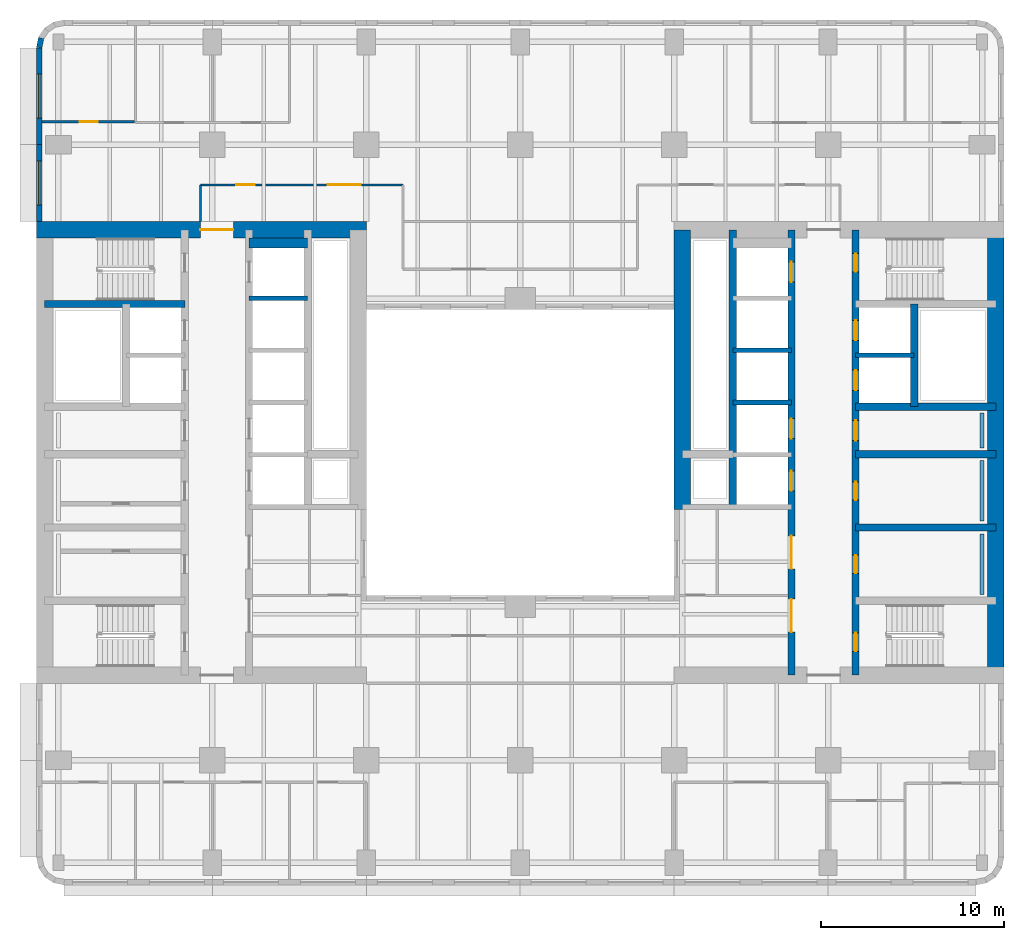
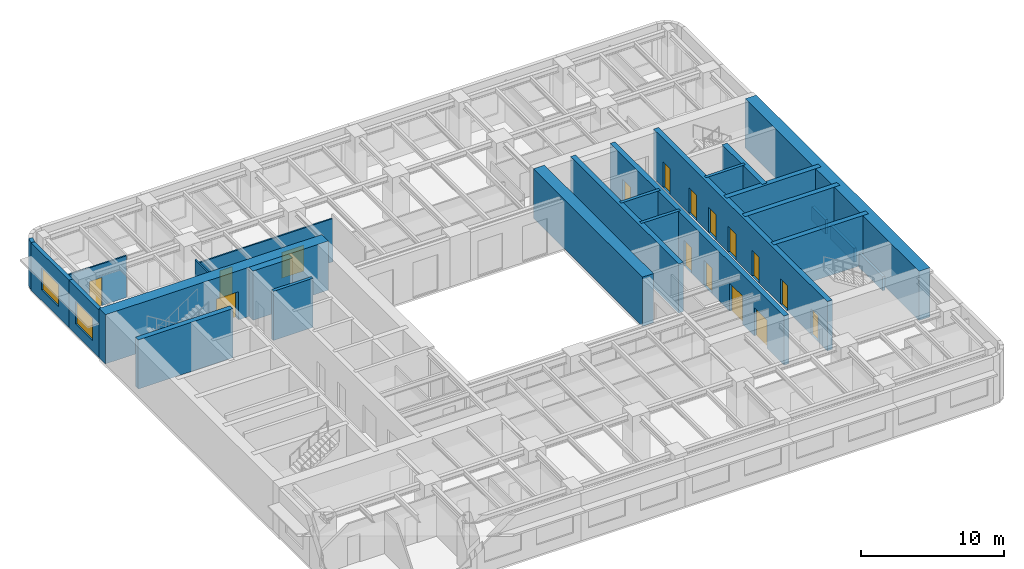
# One storey, part 6 of 11: 25 walls, 16 doors, 2 windows, 18 openings.
"""IFC4 building model written with IfcOpenShell, lengths in metres."""

from ifc_helpers import new_model, si_unit, direction, frame, frame_2d, origin, place, context, subcontext, project, spatial, rectangle, extrude, material, layer, layer_set, type_object, element, fill, save


model = new_model("IFC4")

# Units and contexts
model_context = context("Model", 3, precision=1e-05, world=origin(), true_north=direction((0.0, 1.0)))
body_context = subcontext(model_context, "Body", "Model", "MODEL_VIEW")
ifc_project = project(units=[si_unit("LENGTHUNIT", "METRE"), si_unit("AREAUNIT", "SQUARE_METRE"), si_unit("VOLUMEUNIT", "CUBIC_METRE"), si_unit("PLANEANGLEUNIT", "RADIAN"), si_unit("MASSUNIT", "GRAM", prefix="KILO")], contexts=[model_context])

# Site, building, storey
site_placement = place(None, origin())
site = spatial("IfcSite", under=ifc_project, at=site_placement, CompositionType="ELEMENT")
building_placement = place(site_placement, origin())
building = spatial("IfcBuilding", under=site, at=building_placement, Name="Claustro Exchange Tower", CompositionType="ELEMENT")
storey_placement = place(building_placement, frame((0.0, 0.0, 105.0)))
storey = spatial("IfcBuildingStorey", under=building, at=storey_placement, Name="L23", CompositionType="ELEMENT", Elevation=105.0)

# Wall, opening, door
ifc_material_1 = material(Name="Laminated glass in aluminium frame", Category="aluminium")
ifc_layer_1 = layer(ifc_material_1, 0.1201171875)
ifc_layer_set_1 = layer_set([ifc_layer_1], Name="Laminated glass in aluminium frame")
wall_type_1 = type_object("IfcWallType", Name="P2 120 glazed partition", PredefinedType="PARTITIONING", material=ifc_layer_set_1)
wall_1_placement = place(storey_placement, frame((-0.902099609375, 43.25, 0.0), z_axis=(0.0, 0.0, 1.0), x_axis=(1.0, 0.0, 0.0)))
wall_1 = element("IfcWall", 1, at=wall_1_placement, inside=storey, type_object=wall_type_1, Name="Partition P2 L23", PredefinedType="PARTITIONING", context=body_context, shape_type="SweptSolid", body=[
    extrude(rectangle(XDim=5.044189453125, YDim=0.1201171875, at=frame_2d((2.52197265625, 0.0))), origin(), (0.0, 0.0, 1.0), 3.56005859375),
])
opening_1_placement = place(wall_1_placement, frame((2.052001953125, 0.0, 0.0)))
opening_1 = element("IfcOpeningElement", 2, at=opening_1_placement, cuts=wall_1, Name="Opening D7", PredefinedType="OPENING", context=body_context, shape_type="SweptSolid", body=[
    extrude(rectangle(XDim=1.0, YDim=2.39990234375, at=frame_2d((0.5, 1.199951171875))), frame((0.0, 0.070068359375, 0.0), z_axis=(0.0, -1.0, 0.0), x_axis=(1.0, 0.0, 0.0)), (0.0, 0.0, 1.0), 0.14013671875),
])
ifc_material_2 = material(Name="Glass door in aluminium frame", Category="aluminium")
door_type_1 = type_object("IfcDoorType", Name="D7 1000 x 2400 glazed door", OperationType="SINGLE_SWING_LEFT", PredefinedType="DOOR", material=ifc_material_2)
door_1_placement = place(opening_1_placement, origin())
door_1 = element("IfcDoor", 3, at=door_1_placement, inside=storey, type_object=door_type_1, Name="Door D7 L23", OperationType="SINGLE_SWING_RIGHT", OverallHeight=2.39990234375, OverallWidth=1.0, PredefinedType="DOOR", context=body_context, shape_type="SweptSolid", body=[
    extrude(rectangle(XDim=1.0, YDim=2.39990234375, at=frame_2d((0.5, 1.199951171875))), frame((0.0, 0.02490234375, 0.0), z_axis=(0.0, -1.0, 0.0), x_axis=(1.0, 0.0, 0.0)), (0.0, 0.0, 1.0), 0.050048828125),
])
fill(opening_1, door_1)

# Wall, openings, doors
wall_2_placement = place(storey_placement, frame((7.75, 39.800048828125, 0.0), z_axis=(0.0, 0.0, 1.0), x_axis=(1.0, 0.0, 0.0)))
wall_2 = element("IfcWall", 4, at=wall_2_placement, inside=storey, type_object=wall_type_1, Name="Partition P2 L23", PredefinedType="PARTITIONING", context=body_context, shape_type="SweptSolid", body=[
    extrude(rectangle(XDim=11.050048828125, YDim=0.1201171875, at=frame_2d((5.52490234375, 0.0))), origin(), (0.0, 0.0, 1.0), 3.68994140625),
])
opening_2_placement = place(wall_2_placement, frame((1.949951171875, 0.0, 0.0)))
opening_2 = element("IfcOpeningElement", 5, at=opening_2_placement, cuts=wall_2, Name="Opening D7", PredefinedType="OPENING", context=body_context, shape_type="SweptSolid", body=[
    extrude(rectangle(XDim=1.0, YDim=2.39990234375, at=frame_2d((0.5, 1.199951171875))), frame((0.0, 0.070068359375, 0.0), z_axis=(0.0, -1.0, 0.0), x_axis=(1.0, 0.0, 0.0)), (0.0, 0.0, 1.0), 0.14013671875),
])
opening_3_placement = place(wall_2_placement, frame((6.949951171875, 0.0, 0.0)))
opening_3 = element("IfcOpeningElement", 6, at=opening_3_placement, cuts=wall_2, Name="Opening D2", PredefinedType="OPENING", context=body_context, shape_type="SweptSolid", body=[
    extrude(rectangle(XDim=1.800048828125, YDim=2.199951171875, at=frame_2d((0.89990234375, 1.10009765625))), frame((0.0, 0.070068359375, 0.0), z_axis=(0.0, -1.0, 0.0), x_axis=(1.0, 0.0, 0.0)), (0.0, 0.0, 1.0), 0.14013671875),
])
ifc_material_3 = material(Name="Timber door, oak veneer", Category="wood")
door_type_2 = type_object("IfcDoorType", Name="D2 1800 x 2200 double door", OperationType="DOUBLE_DOOR_SINGLE_SWING", PredefinedType="DOOR", material=ifc_material_3)
door_2_placement = place(opening_3_placement, origin())
door_2 = element("IfcDoor", 7, at=door_2_placement, inside=storey, type_object=door_type_2, Name="Double door D2 L23", OperationType="DOUBLE_DOOR_SINGLE_SWING", OverallHeight=2.199951171875, OverallWidth=1.800048828125, PredefinedType="DOOR", context=body_context, shape_type="SweptSolid", body=[
    extrude(rectangle(XDim=1.800048828125, YDim=2.199951171875, at=frame_2d((0.89990234375, 1.10009765625))), frame((0.0, 0.02490234375, 0.0), z_axis=(0.0, -1.0, 0.0), x_axis=(1.0, 0.0, 0.0)), (0.0, 0.0, 1.0), 0.050048828125),
])
fill(opening_3, door_2)
door_3_placement = place(opening_2_placement, origin())
door_3 = element("IfcDoor", 8, at=door_3_placement, inside=storey, type_object=door_type_1, Name="Door D7 L23", OperationType="SINGLE_SWING_LEFT", OverallHeight=2.39990234375, OverallWidth=1.0, PredefinedType="DOOR", context=body_context, shape_type="SweptSolid", body=[
    extrude(rectangle(XDim=1.0, YDim=2.39990234375, at=frame_2d((0.5, 1.199951171875))), frame((0.0, 0.02490234375, 0.0), z_axis=(0.0, -1.0, 0.0), x_axis=(1.0, 0.0, 0.0)), (0.0, 0.0, 1.0), 0.050048828125),
])
fill(opening_2, door_3)

# Wall
wall_3_placement = place(storey_placement, frame((7.75, 37.800048828125, 0.0), z_axis=(0.0, 0.0, 1.0), x_axis=(0.0, 1.0, 0.0)))
element("IfcWall", 9, at=wall_3_placement, inside=storey, type_object=wall_type_1, Name="Partition P2 L23", PredefinedType="PARTITIONING", context=body_context, shape_type="SweptSolid", body=[
    extrude(rectangle(XDim=2.0, YDim=0.1201171875, at=frame_2d((1.0, 0.0))), origin(), (0.0, 0.0, 1.0), 4.050048828125),
])

# Wall, opening, window
ifc_material_4 = material(Name="Concrete HA-40 (C40/50), precast, white cement, acid-etched", Category="concrete")
ifc_layer_2 = layer(ifc_material_4, 0.300048828125)
ifc_layer_set_2 = layer_set([ifc_layer_2], Name="Concrete HA-40 (C40/50), precast, white cement, acid-etched")
wall_type_2 = type_object("IfcWallType", Name="PC1 300 precast concrete pier panel", PredefinedType="SOLIDWALL", material=ifc_layer_set_2)
wall_4_placement = place(storey_placement, frame((-1.050048828125, 37.800048828125, 0.0), z_axis=(0.0, 0.0, 1.0), x_axis=(0.0, 1.0, 0.0)))
wall_4 = element("IfcWall", 10, at=wall_4_placement, inside=storey, type_object=wall_type_2, Name="Precast pier panel PC1 L23", PredefinedType="SOLIDWALL", context=body_context, shape_type="SweptSolid", body=[
    extrude(rectangle(XDim=4.199951171875, YDim=0.300048828125, at=frame_2d((2.10009765625, 0.0))), origin(), (0.0, 0.0, 1.0), 4.050048828125),
])
opening_4_placement = place(wall_4_placement, frame((0.89990234375, 0.0, 0.89990234375)))
opening_4 = element("IfcOpeningElement", 11, at=opening_4_placement, cuts=wall_4, Name="Opening W2", PredefinedType="OPENING", context=body_context, shape_type="SweptSolid", body=[
    extrude(rectangle(XDim=2.39990234375, YDim=1.89990234375, at=frame_2d((1.199951171875, 0.949951171875))), frame((0.0, 0.159912109375, 0.0), z_axis=(0.0, -1.0, 0.0), x_axis=(1.0, 0.0, 0.0)), (0.0, 0.0, 1.0), 0.320068359375),
])
ifc_material_5 = material(Name="Aluminium frame, clear double glazing", Category="aluminium")
window_type = type_object("IfcWindowType", Name="W2 2400 x 1900 window", PartitioningType="SINGLE_PANEL", PredefinedType="WINDOW", material=ifc_material_5)
window_1_placement = place(opening_4_placement, origin())
window_1 = element("IfcWindow", 12, at=window_1_placement, inside=storey, type_object=window_type, Name="Window W2 L23", OverallHeight=1.89990234375, OverallWidth=2.39990234375, PartitioningType="SINGLE_PANEL", PredefinedType="WINDOW", context=body_context, shape_type="SweptSolid", body=[
    extrude(rectangle(XDim=2.39990234375, YDim=1.89990234375, at=frame_2d((1.199951171875, 0.949951171875))), frame((0.0, 0.030029296875, 0.0), z_axis=(0.0, -1.0, 0.0), x_axis=(1.0, 0.0, 0.0)), (0.0, 0.0, 1.0), 0.06005859375),
])
fill(opening_4, window_1)

wall_5_placement = place(storey_placement, frame((-1.050048828125, 42.0, 0.0), z_axis=(0.0, 0.0, 1.0), x_axis=(0.0, 1.0, 0.0)))
wall_5 = element("IfcWall", 13, at=wall_5_placement, inside=storey, type_object=wall_type_2, Name="Precast pier panel PC1 L23", PredefinedType="SOLIDWALL", context=body_context, shape_type="SweptSolid", body=[
    extrude(rectangle(XDim=5.28515625, YDim=0.300048828125, at=frame_2d((2.642578125, 0.0))), origin(), (0.0, 0.0, 1.0), 4.050048828125),
])
opening_5_placement = place(wall_5_placement, frame((1.442626953125, 0.0, 0.89990234375)))
opening_5 = element("IfcOpeningElement", 14, at=opening_5_placement, cuts=wall_5, Name="Opening W2", PredefinedType="OPENING", context=body_context, shape_type="SweptSolid", body=[
    extrude(rectangle(XDim=2.39990234375, YDim=1.89990234375, at=frame_2d((1.199951171875, 0.949951171875))), frame((0.0, 0.159912109375, 0.0), z_axis=(0.0, -1.0, 0.0), x_axis=(1.0, 0.0, 0.0)), (0.0, 0.0, 1.0), 0.320068359375),
])
window_2_placement = place(opening_5_placement, origin())
window_2 = element("IfcWindow", 15, at=window_2_placement, inside=storey, type_object=window_type, Name="Window W2 L23", OverallHeight=1.89990234375, OverallWidth=2.39990234375, PartitioningType="SINGLE_PANEL", PredefinedType="WINDOW", context=body_context, shape_type="SweptSolid", body=[
    extrude(rectangle(XDim=2.39990234375, YDim=1.89990234375, at=frame_2d((1.199951171875, 0.949951171875))), frame((0.0, 0.030029296875, 0.0), z_axis=(0.0, -1.0, 0.0), x_axis=(1.0, 0.0, 0.0)), (0.0, 0.0, 1.0), 0.06005859375),
])
fill(opening_5, window_2)

# Walls
wall_6_placement = place(storey_placement, frame((-1.050048828125, 47.28515625, 0.0), z_axis=(0.0, 0.0, 1.0), x_axis=(0.195073962632, 0.980788534345, 0.0)))
element("IfcWall", 16, at=wall_6_placement, inside=storey, type_object=wall_type_2, Name="Precast pier panel PC1 L23", PredefinedType="SOLIDWALL", context=body_context, shape_type="SweptSolid", body=[
    extrude(rectangle(XDim=0.540771484375, YDim=0.300048828125, at=frame_2d((0.2705078125, 0.0))), origin(), (0.0, 0.0, 1.0), 4.050048828125),
])
ifc_material_6 = material(Name="Gypsum board on steel studs, tiled", Category="steel")
ifc_layer_3 = layer(ifc_material_6, 0.199951171875)
ifc_layer_set_3 = layer_set([ifc_layer_3], Name="Gypsum board on steel studs, tiled")
wall_type_3 = type_object("IfcWallType", Name="PW1 200 WC duct wall", PredefinedType="PLUMBINGWALL", material=ifc_layer_set_3)
for number, where, z_axis, x_axis, name in (
    (17, (50.39990234375, 17.449951171875, 0.0), (0.0, 0.0, 1.0), (0.0, 1.0, 0.0), "WC duct wall PW1 L23"),
    (18, (50.39990234375, 21.449951171875, 0.0), (0.0, 0.0, 1.0), (0.0, 1.0, 0.0), "WC duct wall PW1 L23"),
):
    element("IfcWall", number, at=place(storey_placement, frame(where, z_axis=z_axis, x_axis=x_axis)), inside=storey, type_object=wall_type_3, Name=name, PredefinedType="PLUMBINGWALL", context=body_context, shape_type="SweptSolid", body=[
        extrude(rectangle(XDim=3.300048828125, YDim=0.199951171875, at=frame_2d((1.64990234375, 0.0))), origin(), (0.0, 0.0, 1.0), 1.199951171875),
    ])
wall_7_placement = place(storey_placement, frame((50.39990234375, 25.449951171875, 0.0), z_axis=(0.0, 0.0, 1.0), x_axis=(0.0, 1.0, 0.0)))
element("IfcWall", 19, at=wall_7_placement, inside=storey, type_object=wall_type_3, Name="WC duct wall PW1 L23", PredefinedType="PLUMBINGWALL", context=body_context, shape_type="SweptSolid", body=[
    extrude(rectangle(XDim=1.900146484375, YDim=0.199951171875, at=frame_2d((0.9501953125, 0.0))), origin(), (0.0, 0.0, 1.0), 1.199951171875),
])

# Wall, opening, door
ifc_material_7 = material(Name="Concrete HA-70 (C70/85)", Category="concrete")
ifc_layer_4 = layer(ifc_material_7, 0.89990234375)
ifc_layer_set_4 = layer_set([ifc_layer_4], Name="Concrete HA-70 (C70/85)")
wall_type_4 = type_object("IfcWallType", Name="SW1 900 core shear wall", PredefinedType="SHEAR", material=ifc_layer_set_4)
wall_8_placement = place(storey_placement, frame((-1.199951171875, 37.35009765625, 0.0), z_axis=(0.0, 0.0, 1.0), x_axis=(1.0, 0.0, 0.0)))
wall_8 = element("IfcWall", 20, at=wall_8_placement, inside=storey, type_object=wall_type_4, Name="Core wall SW1 W core N face L23", PredefinedType="SHEAR", context=body_context, shape_type="SweptSolid", body=[
    extrude(rectangle(XDim=18.0, YDim=0.89990234375, at=frame_2d((9.0, 0.0))), origin(), (0.0, 0.0, 1.0), 4.199951171875),
])
opening_6_placement = place(wall_8_placement, frame((8.949951171875, 0.0, 0.0)))
opening_6 = element("IfcOpeningElement", 21, at=opening_6_placement, cuts=wall_8, Name="Opening D3", PredefinedType="OPENING", context=body_context, shape_type="SweptSolid", body=[
    extrude(rectangle(XDim=1.800048828125, YDim=2.39990234375, at=frame_2d((0.89990234375, 1.199951171875))), frame((0.0, 0.4599609375, 0.0), z_axis=(0.0, -1.0, 0.0), x_axis=(1.0, 0.0, 0.0)), (0.0, 0.0, 1.0), 0.919921875),
])
ifc_material_8 = material(Name="Steel fire door, painted", Category="steel")
door_type_3 = type_object("IfcDoorType", Name="D3 1800 x 2400 fire-rated lobby double door", OperationType="DOUBLE_DOOR_SINGLE_SWING", PredefinedType="DOOR", material=ifc_material_8)
door_4_placement = place(opening_6_placement, frame((1.800048828125, 0.0, 0.0), z_axis=(0.0, 0.0, 1.0), x_axis=(-1.0, 0.0, 0.0)))
door_4 = element("IfcDoor", 22, at=door_4_placement, inside=storey, type_object=door_type_3, Name="Lift lobby door D3 L23", OperationType="DOUBLE_DOOR_SINGLE_SWING", OverallHeight=2.39990234375, OverallWidth=1.800048828125, PredefinedType="DOOR", context=body_context, shape_type="SweptSolid", body=[
    extrude(rectangle(XDim=1.800048828125, YDim=2.39990234375, at=frame_2d((0.89990234375, 1.199951171875))), frame((0.0, 0.02490234375, 0.0), z_axis=(0.0, -1.0, 0.0), x_axis=(1.0, 0.0, 0.0)), (0.0, 0.0, 1.0), 0.050048828125),
])
fill(opening_6, door_4)

# Walls
ifc_material_9 = material(Name="Concrete HA-70 (C70/85)", Category="concrete")
ifc_layer_5 = layer(ifc_material_9, 0.89990234375)
ifc_layer_set_5 = layer_set([ifc_layer_5], Name="Concrete HA-70 (C70/85)")
wall_type_5 = type_object("IfcWallType", Name="SW1X 900 exposed core shear wall, board-marked face", PredefinedType="SHEAR", material=ifc_layer_set_5)
wall_9_placement = place(storey_placement, frame((34.050048828125, 22.10009765625, 0.0), z_axis=(0.0, 0.0, 1.0), x_axis=(0.0, 1.0, 0.0)))
element("IfcWall", 23, at=wall_9_placement, inside=storey, type_object=wall_type_5, Name="Core wall SW1X E core W face L23", PredefinedType="SHEAR", context=body_context, shape_type="SweptSolid", body=[
    extrude(rectangle(XDim=15.25, YDim=0.89990234375, at=frame_2d((7.625, 0.0))), origin(), (0.0, 0.0, 1.0), 4.199951171875),
])
wall_10_placement = place(storey_placement, frame((51.14990234375, 13.050048828125, 0.0), z_axis=(0.0, 0.0, 1.0), x_axis=(0.0, 1.0, 0.0)))
element("IfcWall", 24, at=wall_10_placement, inside=storey, type_object=wall_type_5, Name="Core wall SW1X E core E face L23", PredefinedType="SHEAR", context=body_context, shape_type="SweptSolid", body=[
    extrude(rectangle(XDim=24.300048828125, YDim=0.89990234375, at=frame_2d((12.14990234375, 0.0))), origin(), (0.0, 0.0, 1.0), 4.199951171875),
])
ifc_material_10 = material(Name="Concrete HA-50 (C50/60)", Category="concrete")
ifc_layer_6 = layer(ifc_material_10, 0.39990234375)
ifc_layer_set_6 = layer_set([ifc_layer_6], Name="Concrete HA-50 (C50/60)")
wall_type_6 = type_object("IfcWallType", Name="SW4 400 internal core wall", PredefinedType="SHEAR", material=ifc_layer_set_6)
wall_11_placement = place(storey_placement, frame((-0.75, 33.300048828125, 0.0), z_axis=(0.0, 0.0, 1.0), x_axis=(1.0, 0.0, 0.0)))
element("IfcWall", 25, at=wall_11_placement, inside=storey, type_object=wall_type_6, Name="Internal core wall SW4 W core L23", PredefinedType="SHEAR", context=body_context, shape_type="SweptSolid", body=[
    extrude(rectangle(XDim=7.64990234375, YDim=0.39990234375, at=frame_2d((3.824951171875, 0.0))), origin(), (0.0, 0.0, 1.0), 4.199951171875),
])

# Wall, openings, doors
wall_12_placement = place(storey_placement, frame((43.5, 13.050048828125, 0.0), z_axis=(0.0, 0.0, 1.0), x_axis=(0.0, 1.0, 0.0)))
wall_12 = element("IfcWall", 26, at=wall_12_placement, inside=storey, type_object=wall_type_6, Name="Internal core wall SW4 E core L23", PredefinedType="SHEAR", context=body_context, shape_type="SweptSolid", body=[
    extrude(rectangle(XDim=24.300048828125, YDim=0.39990234375, at=frame_2d((12.14990234375, 0.0))), origin(), (0.0, 0.0, 1.0), 4.199951171875),
])
opening_7_placement = place(wall_12_placement, frame((1.300048828125, 0.0, 0.0)))
opening_7 = element("IfcOpeningElement", 27, at=opening_7_placement, cuts=wall_12, Name="Opening D4", PredefinedType="OPENING", context=body_context, shape_type="SweptSolid", body=[
    extrude(rectangle(XDim=1.0, YDim=2.199951171875, at=frame_2d((0.5, 1.10009765625))), frame((0.0, 0.2099609375, 0.0), z_axis=(0.0, -1.0, 0.0), x_axis=(1.0, 0.0, 0.0)), (0.0, 0.0, 1.0), 0.419921875),
])
opening_8_placement = place(wall_12_placement, frame((22.0, 0.0, 0.0)))
opening_8 = element("IfcOpeningElement", 28, at=opening_8_placement, cuts=wall_12, Name="Opening D4", PredefinedType="OPENING", context=body_context, shape_type="SweptSolid", body=[
    extrude(rectangle(XDim=1.0, YDim=2.199951171875, at=frame_2d((0.5, 1.10009765625))), frame((0.0, 0.2099609375, 0.0), z_axis=(0.0, -1.0, 0.0), x_axis=(1.0, 0.0, 0.0)), (0.0, 0.0, 1.0), 0.419921875),
])
opening_9_placement = place(wall_12_placement, frame((5.550048828125, 0.0, 0.0)))
opening_9 = element("IfcOpeningElement", 29, at=opening_9_placement, cuts=wall_12, Name="Opening D1", PredefinedType="OPENING", context=body_context, shape_type="SweptSolid", body=[
    extrude(rectangle(XDim=1.0, YDim=2.199951171875, at=frame_2d((0.5, 1.10009765625))), frame((0.0, 0.2099609375, 0.0), z_axis=(0.0, -1.0, 0.0), x_axis=(1.0, 0.0, 0.0)), (0.0, 0.0, 1.0), 0.419921875),
])
opening_10_placement = place(wall_12_placement, frame((9.550048828125, 0.0, 0.0)))
opening_10 = element("IfcOpeningElement", 30, at=opening_10_placement, cuts=wall_12, Name="Opening D1", PredefinedType="OPENING", context=body_context, shape_type="SweptSolid", body=[
    extrude(rectangle(XDim=1.0, YDim=2.199951171875, at=frame_2d((0.5, 1.10009765625))), frame((0.0, 0.2099609375, 0.0), z_axis=(0.0, -1.0, 0.0), x_axis=(1.0, 0.0, 0.0)), (0.0, 0.0, 1.0), 0.419921875),
])
opening_11_placement = place(wall_12_placement, frame((12.800048828125, 0.0, 0.0)))
opening_11 = element("IfcOpeningElement", 31, at=opening_11_placement, cuts=wall_12, Name="Opening D10", PredefinedType="OPENING", context=body_context, shape_type="SweptSolid", body=[
    extrude(rectangle(XDim=1.10009765625, YDim=2.199951171875, at=frame_2d((0.550048828125, 1.10009765625))), frame((0.0, 0.2099609375, 0.0), z_axis=(0.0, -1.0, 0.0), x_axis=(1.0, 0.0, 0.0)), (0.0, 0.0, 1.0), 0.419921875),
])
opening_12_placement = place(wall_12_placement, frame((15.53759765625, 0.0, 0.0)))
opening_12 = element("IfcOpeningElement", 32, at=opening_12_placement, cuts=wall_12, Name="Opening LD", PredefinedType="OPENING", context=body_context, shape_type="SweptSolid", body=[
    extrude(rectangle(XDim=1.10009765625, YDim=2.199951171875, at=frame_2d((0.550048828125, 1.10009765625))), frame((0.0, 0.2099609375, 0.0), z_axis=(0.0, -1.0, 0.0), x_axis=(1.0, 0.0, 0.0)), (0.0, 0.0, 1.0), 0.419921875),
])
opening_13_placement = place(wall_12_placement, frame((18.262451171875, 0.0, 0.0)))
opening_13 = element("IfcOpeningElement", 33, at=opening_13_placement, cuts=wall_12, Name="Opening LD", PredefinedType="OPENING", context=body_context, shape_type="SweptSolid", body=[
    extrude(rectangle(XDim=1.10009765625, YDim=2.199951171875, at=frame_2d((0.550048828125, 1.10009765625))), frame((0.0, 0.2099609375, 0.0), z_axis=(0.0, -1.0, 0.0), x_axis=(1.0, 0.0, 0.0)), (0.0, 0.0, 1.0), 0.419921875),
])
ifc_material_11 = material(Name="Timber door, oak veneer", Category="wood")
door_type_4 = type_object("IfcDoorType", Name="D1 1000 x 2200 single door", OperationType="SINGLE_SWING_LEFT", PredefinedType="DOOR", material=ifc_material_11)
door_5_placement = place(opening_9_placement, frame((1.0, 0.0, 0.0), z_axis=(0.0, 0.0, 1.0), x_axis=(-1.0, 0.0, 0.0)))
door_5 = element("IfcDoor", 34, at=door_5_placement, inside=storey, type_object=door_type_4, Name="Door D1 L23", OperationType="SINGLE_SWING_LEFT", OverallHeight=2.199951171875, OverallWidth=1.0, PredefinedType="DOOR", context=body_context, shape_type="SweptSolid", body=[
    extrude(rectangle(XDim=1.0, YDim=2.199951171875, at=frame_2d((0.5, 1.10009765625))), frame((0.0, 0.02490234375, 0.0), z_axis=(0.0, -1.0, 0.0), x_axis=(1.0, 0.0, 0.0)), (0.0, 0.0, 1.0), 0.050048828125),
])
fill(opening_9, door_5)
door_6_placement = place(opening_10_placement, frame((1.0, 0.0, 0.0), z_axis=(0.0, 0.0, 1.0), x_axis=(-1.0, 0.0, 0.0)))
door_6 = element("IfcDoor", 35, at=door_6_placement, inside=storey, type_object=door_type_4, Name="Door D1 L23", OperationType="SINGLE_SWING_LEFT", OverallHeight=2.199951171875, OverallWidth=1.0, PredefinedType="DOOR", context=body_context, shape_type="SweptSolid", body=[
    extrude(rectangle(XDim=1.0, YDim=2.199951171875, at=frame_2d((0.5, 1.10009765625))), frame((0.0, 0.02490234375, 0.0), z_axis=(0.0, -1.0, 0.0), x_axis=(1.0, 0.0, 0.0)), (0.0, 0.0, 1.0), 0.050048828125),
])
fill(opening_10, door_6)
ifc_material_12 = material(Name="Timber door, oak veneer", Category="wood")
door_type_5 = type_object("IfcDoorType", Name="D10 1100 x 2200 accessible WC door", OperationType="SINGLE_SWING_LEFT", PredefinedType="DOOR", material=ifc_material_12)
door_7_placement = place(opening_11_placement, origin())
door_7 = element("IfcDoor", 36, at=door_7_placement, inside=storey, type_object=door_type_5, Name="Accessible WC door D10 L23", OperationType="SINGLE_SWING_RIGHT", OverallHeight=2.199951171875, OverallWidth=1.10009765625, PredefinedType="DOOR", context=body_context, shape_type="SweptSolid", body=[
    extrude(rectangle(XDim=1.10009765625, YDim=2.199951171875, at=frame_2d((0.550048828125, 1.10009765625))), frame((0.0, 0.02490234375, 0.0), z_axis=(0.0, -1.0, 0.0), x_axis=(1.0, 0.0, 0.0)), (0.0, 0.0, 1.0), 0.050048828125),
])
fill(opening_11, door_7)
ifc_material_13 = material(Name="Steel fire door, painted", Category="steel")
door_type_6 = type_object("IfcDoorType", Name="D4 1000 x 2200 fire-rated stair door", OperationType="SINGLE_SWING_LEFT", PredefinedType="DOOR", material=ifc_material_13)
door_8_placement = place(opening_7_placement, frame((1.0, 0.0, 0.0), z_axis=(0.0, 0.0, 1.0), x_axis=(-1.0, 0.0, 0.0)))
door_8 = element("IfcDoor", 37, at=door_8_placement, inside=storey, type_object=door_type_6, Name="Stair door D4 L23", OperationType="SINGLE_SWING_RIGHT", OverallHeight=2.199951171875, OverallWidth=1.0, PredefinedType="DOOR", context=body_context, shape_type="SweptSolid", body=[
    extrude(rectangle(XDim=1.0, YDim=2.199951171875, at=frame_2d((0.5, 1.10009765625))), frame((0.0, 0.02490234375, 0.0), z_axis=(0.0, -1.0, 0.0), x_axis=(1.0, 0.0, 0.0)), (0.0, 0.0, 1.0), 0.050048828125),
])
fill(opening_7, door_8)
door_9_placement = place(opening_8_placement, frame((1.0, 0.0, 0.0), z_axis=(0.0, 0.0, 1.0), x_axis=(-1.0, 0.0, 0.0)))
door_9 = element("IfcDoor", 38, at=door_9_placement, inside=storey, type_object=door_type_6, Name="Stair door D4 L23", OperationType="SINGLE_SWING_LEFT", OverallHeight=2.199951171875, OverallWidth=1.0, PredefinedType="DOOR", context=body_context, shape_type="SweptSolid", body=[
    extrude(rectangle(XDim=1.0, YDim=2.199951171875, at=frame_2d((0.5, 1.10009765625))), frame((0.0, 0.02490234375, 0.0), z_axis=(0.0, -1.0, 0.0), x_axis=(1.0, 0.0, 0.0)), (0.0, 0.0, 1.0), 0.050048828125),
])
fill(opening_8, door_9)
ifc_material_14 = material(Name="Stainless steel sliding door", Category="steel")
door_type_7 = type_object("IfcDoorType", Name="LD 1100 x 2200 lift landing door", OperationType="DOUBLE_DOOR_SLIDING", PredefinedType="DOOR", material=ifc_material_14)
door_10_placement = place(opening_12_placement, origin())
door_10 = element("IfcDoor", 39, at=door_10_placement, inside=storey, type_object=door_type_7, Name="Lift landing door LEE1 LD L23", OperationType="DOUBLE_DOOR_SLIDING", OverallHeight=2.199951171875, OverallWidth=1.10009765625, PredefinedType="DOOR", context=body_context, shape_type="SweptSolid", body=[
    extrude(rectangle(XDim=1.10009765625, YDim=2.199951171875, at=frame_2d((0.550048828125, 1.10009765625))), frame((0.0, 0.02490234375, 0.0), z_axis=(0.0, -1.0, 0.0), x_axis=(1.0, 0.0, 0.0)), (0.0, 0.0, 1.0), 0.050048828125),
])
fill(opening_12, door_10)
door_11_placement = place(opening_13_placement, origin())
door_11 = element("IfcDoor", 40, at=door_11_placement, inside=storey, type_object=door_type_7, Name="Lift landing door LEE2 LD L23", OperationType="DOUBLE_DOOR_SLIDING", OverallHeight=2.199951171875, OverallWidth=1.10009765625, PredefinedType="DOOR", context=body_context, shape_type="SweptSolid", body=[
    extrude(rectangle(XDim=1.10009765625, YDim=2.199951171875, at=frame_2d((0.550048828125, 1.10009765625))), frame((0.0, 0.02490234375, 0.0), z_axis=(0.0, -1.0, 0.0), x_axis=(1.0, 0.0, 0.0)), (0.0, 0.0, 1.0), 0.050048828125),
])
fill(opening_13, door_11)

wall_13_placement = place(storey_placement, frame((40.0, 13.050048828125, 0.0), z_axis=(0.0, 0.0, 1.0), x_axis=(0.0, 1.0, 0.0)))
wall_13 = element("IfcWall", 41, at=wall_13_placement, inside=storey, type_object=wall_type_6, Name="Internal core wall SW4 E core L23", PredefinedType="SHEAR", context=body_context, shape_type="SweptSolid", body=[
    extrude(rectangle(XDim=24.300048828125, YDim=0.39990234375, at=frame_2d((12.14990234375, 0.0))), origin(), (0.0, 0.0, 1.0), 4.199951171875),
])
opening_14_placement = place(wall_13_placement, frame((10.050048828125, 0.0, 0.0)))
opening_14 = element("IfcOpeningElement", 42, at=opening_14_placement, cuts=wall_13, Name="Opening LD", PredefinedType="OPENING", context=body_context, shape_type="SweptSolid", body=[
    extrude(rectangle(XDim=1.10009765625, YDim=2.199951171875, at=frame_2d((0.550048828125, 1.10009765625))), frame((0.0, 0.2099609375, 0.0), z_axis=(0.0, -1.0, 0.0), x_axis=(1.0, 0.0, 0.0)), (0.0, 0.0, 1.0), 0.419921875),
])
opening_15_placement = place(wall_13_placement, frame((12.89990234375, 0.0, 0.0)))
opening_15 = element("IfcOpeningElement", 43, at=opening_15_placement, cuts=wall_13, Name="Opening LD", PredefinedType="OPENING", context=body_context, shape_type="SweptSolid", body=[
    extrude(rectangle(XDim=1.10009765625, YDim=2.199951171875, at=frame_2d((0.550048828125, 1.10009765625))), frame((0.0, 0.2099609375, 0.0), z_axis=(0.0, -1.0, 0.0), x_axis=(1.0, 0.0, 0.0)), (0.0, 0.0, 1.0), 0.419921875),
])
opening_16_placement = place(wall_13_placement, frame((21.449951171875, 0.0, 0.0)))
opening_16 = element("IfcOpeningElement", 44, at=opening_16_placement, cuts=wall_13, Name="Opening LD", PredefinedType="OPENING", context=body_context, shape_type="SweptSolid", body=[
    extrude(rectangle(XDim=1.10009765625, YDim=2.199951171875, at=frame_2d((0.550048828125, 1.10009765625))), frame((0.0, 0.2099609375, 0.0), z_axis=(0.0, -1.0, 0.0), x_axis=(1.0, 0.0, 0.0)), (0.0, 0.0, 1.0), 0.419921875),
])
opening_17_placement = place(wall_13_placement, frame((2.35009765625, 0.0, 0.0)))
opening_17 = element("IfcOpeningElement", 45, at=opening_17_placement, cuts=wall_13, Name="Opening D3", PredefinedType="OPENING", context=body_context, shape_type="SweptSolid", body=[
    extrude(rectangle(XDim=1.800048828125, YDim=2.39990234375, at=frame_2d((0.89990234375, 1.199951171875))), frame((0.0, 0.2099609375, 0.0), z_axis=(0.0, -1.0, 0.0), x_axis=(1.0, 0.0, 0.0)), (0.0, 0.0, 1.0), 0.419921875),
])
opening_18_placement = place(wall_13_placement, frame((5.800048828125, 0.0, 0.0)))
opening_18 = element("IfcOpeningElement", 46, at=opening_18_placement, cuts=wall_13, Name="Opening D3", PredefinedType="OPENING", context=body_context, shape_type="SweptSolid", body=[
    extrude(rectangle(XDim=1.800048828125, YDim=2.39990234375, at=frame_2d((0.89990234375, 1.199951171875))), frame((0.0, 0.2099609375, 0.0), z_axis=(0.0, -1.0, 0.0), x_axis=(1.0, 0.0, 0.0)), (0.0, 0.0, 1.0), 0.419921875),
])
door_12_placement = place(opening_17_placement, frame((1.800048828125, 0.0, 0.0), z_axis=(0.0, 0.0, 1.0), x_axis=(-1.0, 0.0, 0.0)))
door_12 = element("IfcDoor", 47, at=door_12_placement, inside=storey, type_object=door_type_3, Name="Core zone door D3 L23", OperationType="DOUBLE_DOOR_SINGLE_SWING", OverallHeight=2.39990234375, OverallWidth=1.800048828125, PredefinedType="DOOR", context=body_context, shape_type="SweptSolid", body=[
    extrude(rectangle(XDim=1.800048828125, YDim=2.39990234375, at=frame_2d((0.89990234375, 1.199951171875))), frame((0.0, 0.02490234375, 0.0), z_axis=(0.0, -1.0, 0.0), x_axis=(1.0, 0.0, 0.0)), (0.0, 0.0, 1.0), 0.050048828125),
])
fill(opening_17, door_12)
door_13_placement = place(opening_18_placement, origin())
door_13 = element("IfcDoor", 48, at=door_13_placement, inside=storey, type_object=door_type_3, Name="Core zone door D3 L23", OperationType="DOUBLE_DOOR_SINGLE_SWING", OverallHeight=2.39990234375, OverallWidth=1.800048828125, PredefinedType="DOOR", context=body_context, shape_type="SweptSolid", body=[
    extrude(rectangle(XDim=1.800048828125, YDim=2.39990234375, at=frame_2d((0.89990234375, 1.199951171875))), frame((0.0, 0.02490234375, 0.0), z_axis=(0.0, -1.0, 0.0), x_axis=(1.0, 0.0, 0.0)), (0.0, 0.0, 1.0), 0.050048828125),
])
fill(opening_18, door_13)
door_14_placement = place(opening_14_placement, origin())
door_14 = element("IfcDoor", 49, at=door_14_placement, inside=storey, type_object=door_type_7, Name="Lift landing door LME1 LD L23", OperationType="DOUBLE_DOOR_SLIDING", OverallHeight=2.199951171875, OverallWidth=1.10009765625, PredefinedType="DOOR", context=body_context, shape_type="SweptSolid", body=[
    extrude(rectangle(XDim=1.10009765625, YDim=2.199951171875, at=frame_2d((0.550048828125, 1.10009765625))), frame((0.0, 0.02490234375, 0.0), z_axis=(0.0, -1.0, 0.0), x_axis=(1.0, 0.0, 0.0)), (0.0, 0.0, 1.0), 0.050048828125),
])
fill(opening_14, door_14)
door_15_placement = place(opening_15_placement, origin())
door_15 = element("IfcDoor", 50, at=door_15_placement, inside=storey, type_object=door_type_7, Name="Lift landing door LME2 LD L23", OperationType="DOUBLE_DOOR_SLIDING", OverallHeight=2.199951171875, OverallWidth=1.10009765625, PredefinedType="DOOR", context=body_context, shape_type="SweptSolid", body=[
    extrude(rectangle(XDim=1.10009765625, YDim=2.199951171875, at=frame_2d((0.550048828125, 1.10009765625))), frame((0.0, 0.02490234375, 0.0), z_axis=(0.0, -1.0, 0.0), x_axis=(1.0, 0.0, 0.0)), (0.0, 0.0, 1.0), 0.050048828125),
])
fill(opening_15, door_15)
door_16_placement = place(opening_16_placement, origin())
door_16 = element("IfcDoor", 51, at=door_16_placement, inside=storey, type_object=door_type_7, Name="Lift landing door LSE1 LD L23", OperationType="DOUBLE_DOOR_SLIDING", OverallHeight=2.199951171875, OverallWidth=1.10009765625, PredefinedType="DOOR", context=body_context, shape_type="SweptSolid", body=[
    extrude(rectangle(XDim=1.10009765625, YDim=2.199951171875, at=frame_2d((0.550048828125, 1.10009765625))), frame((0.0, 0.02490234375, 0.0), z_axis=(0.0, -1.0, 0.0), x_axis=(1.0, 0.0, 0.0)), (0.0, 0.0, 1.0), 0.050048828125),
])
fill(opening_16, door_16)

# Walls
wall_14_placement = place(storey_placement, frame((36.800048828125, 22.22509765625, 0.0), z_axis=(0.0, 0.0, 1.0), x_axis=(0.0, 1.0, 0.0)))
element("IfcWall", 52, at=wall_14_placement, inside=storey, type_object=wall_type_6, Name="Internal core wall SW4 E core L23", PredefinedType="SHEAR", context=body_context, shape_type="SweptSolid", body=[
    extrude(rectangle(XDim=15.125, YDim=0.39990234375, at=frame_2d((7.5625, 0.0))), origin(), (0.0, 0.0, 1.0), 4.199951171875),
])
for number, where, z_axis, x_axis, name in (
    (53, (51.14990234375, 21.10009765625, 0.0), (0.0, 0.0, 1.0), (-1.0, 0.0, 0.0), "Internal core wall SW4 E core L23"),
    (54, (51.14990234375, 25.10009765625, 0.0), (0.0, 0.0, 1.0), (-1.0, 0.0, 0.0), "Internal core wall SW4 E core L23"),
    (55, (51.14990234375, 27.699951171875, 0.0), (0.0, 0.0, 1.0), (-1.0, 0.0, 0.0), "Internal core wall SW4 E core L23"),
):
    element("IfcWall", number, at=place(storey_placement, frame(where, z_axis=z_axis, x_axis=x_axis)), inside=storey, type_object=wall_type_6, Name=name, PredefinedType="SHEAR", context=body_context, shape_type="SweptSolid", body=[
        extrude(rectangle(XDim=7.64990234375, YDim=0.39990234375, at=frame_2d((3.824951171875, 0.0))), origin(), (0.0, 0.0, 1.0), 4.199951171875),
    ])
wall_15_placement = place(storey_placement, frame((46.699951171875, 27.699951171875, 0.0), z_axis=(0.0, 0.0, 1.0), x_axis=(0.0, 1.0, 0.0)))
element("IfcWall", 56, at=wall_15_placement, inside=storey, type_object=wall_type_6, Name="Internal core wall SW4 E core L23", PredefinedType="SHEAR", context=body_context, shape_type="SweptSolid", body=[
    extrude(rectangle(XDim=5.60009765625, YDim=0.39990234375, at=frame_2d((2.800048828125, 0.0))), origin(), (0.0, 0.0, 1.0), 4.199951171875),
])
ifc_material_15 = material(Name="Concrete HA-50 (C50/60)", Category="concrete")
ifc_layer_7 = layer(ifc_material_15, 0.25)
ifc_layer_set_7 = layer_set([ifc_layer_7], Name="Concrete HA-50 (C50/60)")
wall_type_7 = type_object("IfcWallType", Name="SW5 250 lift shaft divider wall", PredefinedType="SHEAR", material=ifc_layer_set_7)
wall_16_placement = place(storey_placement, frame((10.39990234375, 33.625, 0.0), z_axis=(0.0, 0.0, 1.0), x_axis=(1.0, 0.0, 0.0)))
element("IfcWall", 57, at=wall_16_placement, inside=storey, type_object=wall_type_7, Name="Lift shaft wall W core L23", PredefinedType="SHEAR", context=body_context, shape_type="SweptSolid", body=[
    extrude(rectangle(XDim=3.2001953125, YDim=0.25, at=frame_2d((1.60009765625, 0.0))), origin(), (0.0, 0.0, 1.0), 4.199951171875),
])
for number, where, z_axis, x_axis, name in (
    (58, (46.699951171875, 30.5, 0.0), (0.0, 0.0, 1.0), (-1.0, 0.0, 0.0), "Lift shaft wall E core L23"),
    (59, (40.0, 27.925048828125, 0.0), (0.0, 0.0, 1.0), (-1.0, 0.0, 0.0), "Lift shaft wall E core L23"),
    (60, (40.0, 30.77490234375, 0.0), (0.0, 0.0, 1.0), (-1.0, 0.0, 0.0), "Lift shaft wall E core L23"),
):
    element("IfcWall", number, at=place(storey_placement, frame(where, z_axis=z_axis, x_axis=x_axis)), inside=storey, type_object=wall_type_7, Name=name, PredefinedType="SHEAR", context=body_context, shape_type="SweptSolid", body=[
        extrude(rectangle(XDim=3.199951171875, YDim=0.25, at=frame_2d((1.60009765625, 0.0))), origin(), (0.0, 0.0, 1.0), 4.199951171875),
    ])
ifc_material_16 = material(Name="Concrete HA-50 (C50/60)", Category="concrete")
ifc_layer_8 = layer(ifc_material_16, 0.550048828125)
ifc_layer_set_8 = layer_set([ifc_layer_8], Name="Concrete HA-50 (C50/60)")
wall_type_8 = type_object("IfcWallType", Name="SW6 550 lift shaft end wall", PredefinedType="SHEAR", material=ifc_layer_set_8)
wall_17_placement = place(storey_placement, frame((10.39990234375, 36.625, 0.0), z_axis=(0.0, 0.0, 1.0), x_axis=(1.0, 0.0, 0.0)))
element("IfcWall", 61, at=wall_17_placement, inside=storey, type_object=wall_type_8, Name="Lift shaft wall W core L23", PredefinedType="SHEAR", context=body_context, shape_type="SweptSolid", body=[
    extrude(rectangle(XDim=3.2001953125, YDim=0.550048828125, at=frame_2d((1.60009765625, 0.0))), origin(), (0.0, 0.0, 1.0), 4.199951171875),
])

save(model, "model.ifc")
